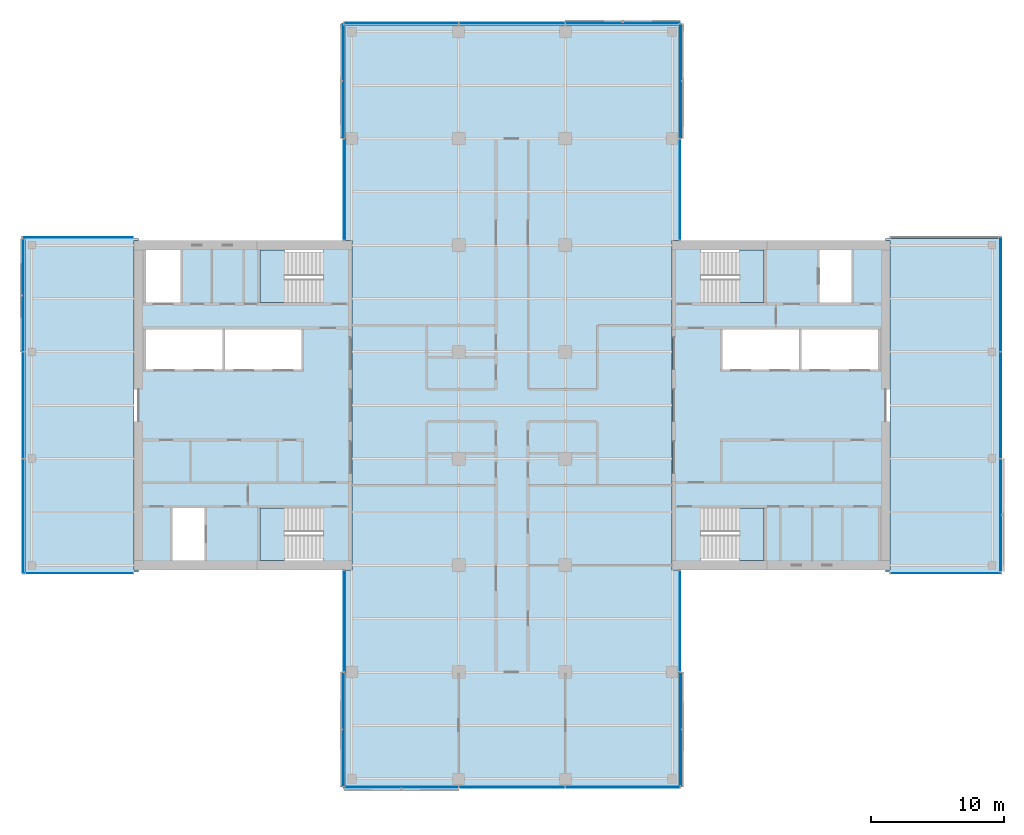
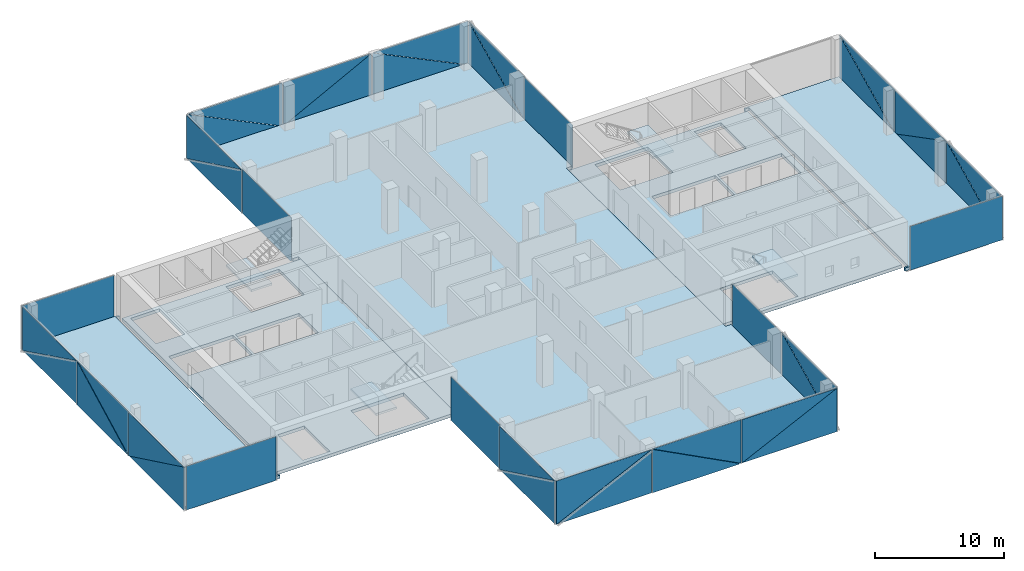
# One storey, part 12 of 22: 39 plates, 9 slabs, 19 elements without a shape of their own.
"""IFC4 building model written with IfcOpenShell, lengths in metres."""

from ifc_helpers import new_model, si_unit, direction, frame, origin, place, context, subcontext, project, spatial, polyline, outline, extrude, material, layer, layer_set, type_object, element, aggregate, save


model = new_model("IFC4")

# Units and contexts
model_context = context("Model", 3, precision=1e-05, world=origin(), true_north=direction((0.0, 1.0)))
body_context = subcontext(model_context, "Body", "Model", "MODEL_VIEW")
ifc_project = project(units=[si_unit("LENGTHUNIT", "METRE"), si_unit("AREAUNIT", "SQUARE_METRE"), si_unit("VOLUMEUNIT", "CUBIC_METRE"), si_unit("PLANEANGLEUNIT", "RADIAN"), si_unit("MASSUNIT", "GRAM", prefix="KILO")], contexts=[model_context])

# Site, building, storey
site_placement = place(None, origin())
site = spatial("IfcSite", under=ifc_project, at=site_placement, CompositionType="ELEMENT")
building_placement = place(site_placement, origin())
building = spatial("IfcBuilding", under=site, at=building_placement, Name="Crosswind Convention Tower", CompositionType="ELEMENT")
storey_placement = place(building_placement, frame((0.0, 0.0, 125.300048828125)))
storey = spatial("IfcBuildingStorey", under=building, at=storey_placement, Name="L25", CompositionType="ELEMENT", Elevation=125.300048828125)

# Slabs
ifc_material_1 = material(Name="Concrete C40/50", Category="concrete")
ifc_layer_1 = layer(ifc_material_1, 0.300048828125)
ifc_layer_set_1 = layer_set([ifc_layer_1], Name="Concrete C40/50")
slab_type_1 = type_object("IfcSlabType", Name="Composite floor slab 300", PredefinedType="FLOOR", material=ifc_layer_set_1)
slab_1_placement = place(storey_placement, frame((0.0, 0.0, -0.300048828125)))
element("IfcSlab", 1, at=slab_1_placement, inside=storey, type_object=slab_type_1, Name="Floor slab L25 part 1", PredefinedType="FLOOR", context=body_context, shape_type="SweptSolid", body=[
    extrude(outline(polyline([(97.0, 87.5), (89.0, 87.5), (88.5, 87.5), (88.5, 88.0), (88.5, 112.0), (88.5, 112.5), (89.0, 112.5), (97.0, 112.5), (97.0, 112.35009765625), (96.64990234375, 112.35009765625), (96.64990234375, 87.64990234375), (97.0, 87.64990234375), (97.0, 87.5)])), origin(), (0.0, 0.0, 1.0), 0.300048828125),
])
slab_2_placement = place(storey_placement, frame((0.0, 0.0, -0.300048828125)))
element("IfcSlab", 2, at=slab_2_placement, inside=storey, type_object=slab_type_1, Name="Floor slab L25 part 2", PredefinedType="FLOOR", context=body_context, shape_type="SweptSolid", body=[
    extrude(outline(polyline([(112.5, 87.64990234375), (113.0, 87.64990234375), (113.0, 112.35009765625), (112.5, 112.35009765625), (112.5, 128.0), (112.5, 128.5), (113.0, 128.5), (137.0, 128.5), (137.5, 128.5), (137.5, 128.0), (137.5, 112.35009765625), (137.0, 112.35009765625), (137.0, 87.64990234375), (137.5, 87.64990234375), (137.5, 72.0), (137.5, 71.5), (137.0, 71.5), (113.0, 71.5), (112.5, 71.5), (112.5, 72.0), (112.5, 87.64990234375)])), origin(), (0.0, 0.0, 1.0), 0.300048828125),
])
slab_3_placement = place(storey_placement, frame((0.0, 0.0, -0.300048828125)))
element("IfcSlab", 3, at=slab_3_placement, inside=storey, type_object=slab_type_1, Name="Floor slab L25 part 3", PredefinedType="FLOOR", context=body_context, shape_type="SweptSolid", body=[
    extrude(outline(polyline([(153.0, 112.5), (161.0, 112.5), (161.5, 112.5), (161.5, 112.0), (161.5, 88.0), (161.5, 87.5), (161.0, 87.5), (153.0, 87.5), (153.0, 87.64990234375), (153.35009765625, 87.64990234375), (153.35009765625, 112.35009765625), (153.0, 112.35009765625), (153.0, 112.5)])), origin(), (0.0, 0.0, 1.0), 0.300048828125),
])
ifc_layer_2 = layer(ifc_material_1, 0.300048828125)
ifc_layer_set_2 = layer_set([ifc_layer_2], Name="Concrete C40/50")
slab_type_2 = type_object("IfcSlabType", Name="Concrete core floor slab 300", PredefinedType="FLOOR", material=ifc_layer_set_2)
slab_4_placement = place(storey_placement, frame((0.0, 0.0, -0.300048828125)))
element("IfcSlab", 4, at=slab_4_placement, inside=storey, type_object=slab_type_2, Name="Core floor slab E L25", PredefinedType="FLOOR", context=body_context, shape_type="SweptSolid", body=[
    extrude(outline(polyline([(137.0, 88.0), (153.0, 88.0), (153.0, 112.0), (137.0, 112.0), (137.0, 88.0)]), holes=[polyline([(146.5, 102.699951171875), (146.5, 105.699951171875), (140.800048828125, 105.699951171875), (140.800048828125, 102.699951171875), (146.5, 102.699951171875)]), polyline([(152.449951171875, 102.699951171875), (152.449951171875, 105.699951171875), (146.699951171875, 105.699951171875), (146.699951171875, 102.699951171875), (152.449951171875, 102.699951171875)]), polyline([(150.449951171875, 107.699951171875), (150.449951171875, 111.64990234375), (148.050048828125, 111.64990234375), (148.050048828125, 107.699951171875), (150.449951171875, 107.699951171875)]), polyline([(143.89990234375, 107.699951171875), (143.89990234375, 111.64990234375), (139.14990234375, 111.64990234375), (139.14990234375, 107.699951171875), (143.89990234375, 107.699951171875)]), polyline([(143.89990234375, 88.35009765625), (143.89990234375, 92.300048828125), (139.14990234375, 92.300048828125), (139.14990234375, 88.35009765625), (143.89990234375, 88.35009765625)])]), origin(), (0.0, 0.0, 1.0), 0.300048828125),
])
slab_5_placement = place(storey_placement, frame((0.0, 0.0, -0.300048828125)))
element("IfcSlab", 5, at=slab_5_placement, inside=storey, type_object=slab_type_2, Name="Core floor slab W L25", PredefinedType="FLOOR", context=body_context, shape_type="SweptSolid", body=[
    extrude(outline(polyline([(97.0, 88.0), (113.0, 88.0), (113.0, 112.0), (97.0, 112.0), (97.0, 88.0)]), holes=[polyline([(109.199951171875, 102.699951171875), (109.199951171875, 105.699951171875), (103.5, 105.699951171875), (103.5, 102.699951171875), (109.199951171875, 102.699951171875)]), polyline([(103.300048828125, 102.699951171875), (103.300048828125, 105.699951171875), (97.550048828125, 105.699951171875), (97.550048828125, 102.699951171875), (103.300048828125, 102.699951171875)]), polyline([(101.949951171875, 88.35009765625), (101.949951171875, 92.300048828125), (99.550048828125, 92.300048828125), (99.550048828125, 88.35009765625), (101.949951171875, 88.35009765625)]), polyline([(100.14990234375, 107.699951171875), (100.14990234375, 111.64990234375), (97.550048828125, 111.64990234375), (97.550048828125, 107.699951171875), (100.14990234375, 107.699951171875)]), polyline([(110.85009765625, 88.35009765625), (110.85009765625, 92.300048828125), (106.10009765625, 92.300048828125), (106.10009765625, 88.35009765625), (110.85009765625, 88.35009765625)]), polyline([(110.85009765625, 107.699951171875), (110.85009765625, 111.64990234375), (106.10009765625, 111.64990234375), (106.10009765625, 107.699951171875), (110.85009765625, 107.699951171875)])]), origin(), (0.0, 0.0, 1.0), 0.300048828125),
])

# Stair, slab
stair_type = type_object("IfcStairType", Name="Exit stair 1800 wide, 2 flights of 11 risers", PredefinedType="HALF_TURN_STAIR", material=ifc_material_1)
stair_1_placement = place(storey_placement, origin())
stair_1 = element("IfcStair", 6, at=stair_1_placement, inside=storey, type_object=stair_type, Name="Exit stair ST1 L25", ObjectType="ST5", PredefinedType="HALF_TURN_STAIR")
ifc_layer_3 = layer(ifc_material_1, 0.199951171875)
ifc_layer_set_3 = layer_set([ifc_layer_3], Name="Concrete C40/50")
slab_type_3 = type_object("IfcSlabType", Name="Stair landing 200", PredefinedType="LANDING", material=ifc_layer_set_3)
slab_6_placement = place(storey_placement, frame((0.0, 0.0, 1.89990234375)))
slab_6 = element("IfcSlab", 7, at=slab_6_placement, type_object=slab_type_3, Name="ST1 landing 1", PredefinedType="LANDING", context=body_context, shape_type="SweptSolid", body=[
    extrude(outline(polyline([(143.89990234375, 107.699951171875), (143.89990234375, 111.64990234375), (142.050048828125, 111.64990234375), (142.050048828125, 107.699951171875), (143.89990234375, 107.699951171875)])), origin(), (0.0, 0.0, 1.0), 0.199951171875),
])
aggregate(stair_1, [slab_6])

stair_2_placement = place(storey_placement, origin())
stair_2 = element("IfcStair", 8, at=stair_2_placement, inside=storey, type_object=stair_type, Name="Exit stair ST2 L25", ObjectType="ST5", PredefinedType="HALF_TURN_STAIR")
slab_7_placement = place(storey_placement, frame((0.0, 0.0, 1.89990234375)))
slab_7 = element("IfcSlab", 9, at=slab_7_placement, type_object=slab_type_3, Name="ST2 landing 1", PredefinedType="LANDING", context=body_context, shape_type="SweptSolid", body=[
    extrude(outline(polyline([(143.89990234375, 88.35009765625), (143.89990234375, 92.300048828125), (142.050048828125, 92.300048828125), (142.050048828125, 88.35009765625), (143.89990234375, 88.35009765625)])), origin(), (0.0, 0.0, 1.0), 0.199951171875),
])
aggregate(stair_2, [slab_7])

stair_3_placement = place(storey_placement, origin())
stair_3 = element("IfcStair", 10, at=stair_3_placement, inside=storey, type_object=stair_type, Name="Exit stair ST3 L25", ObjectType="ST5", PredefinedType="HALF_TURN_STAIR")
slab_8_placement = place(storey_placement, frame((0.0, 0.0, 1.89990234375)))
slab_8 = element("IfcSlab", 11, at=slab_8_placement, type_object=slab_type_3, Name="ST3 landing 1", PredefinedType="LANDING", context=body_context, shape_type="SweptSolid", body=[
    extrude(outline(polyline([(107.949951171875, 88.35009765625), (107.949951171875, 92.300048828125), (106.10009765625, 92.300048828125), (106.10009765625, 88.35009765625), (107.949951171875, 88.35009765625)])), origin(), (0.0, 0.0, 1.0), 0.199951171875),
])
aggregate(stair_3, [slab_8])

stair_4_placement = place(storey_placement, origin())
stair_4 = element("IfcStair", 12, at=stair_4_placement, inside=storey, type_object=stair_type, Name="Exit stair ST4 L25", ObjectType="ST5", PredefinedType="HALF_TURN_STAIR")
slab_9_placement = place(storey_placement, frame((0.0, 0.0, 1.89990234375)))
slab_9 = element("IfcSlab", 13, at=slab_9_placement, type_object=slab_type_3, Name="ST4 landing 1", PredefinedType="LANDING", context=body_context, shape_type="SweptSolid", body=[
    extrude(outline(polyline([(107.949951171875, 107.699951171875), (107.949951171875, 111.64990234375), (106.10009765625, 111.64990234375), (106.10009765625, 107.699951171875), (107.949951171875, 107.699951171875)])), origin(), (0.0, 0.0, 1.0), 0.199951171875),
])
aggregate(stair_4, [slab_9])

# Curtain wall, plate
ifc_material_2 = material(Name="Aluminium unitised curtain wall", Category="aluminium")
curtain_wall_type_1 = type_object("IfcCurtainWallType", Name="CORE END SLOT WALL 160", PredefinedType="USERDEFINED", material=ifc_material_2)
curtain_wall_1_placement = place(storey_placement, origin())
curtain_wall_1 = element("IfcCurtainWall", 14, at=curtain_wall_1_placement, inside=storey, type_object=curtain_wall_type_1, Name="CW6 L25 N-E.1-1 slot", ObjectType="UNITISED", PredefinedType="USERDEFINED")
ifc_material_3 = material(Name="Laminated insulating glass unit", Category="glass")
ifc_layer_4 = layer(ifc_material_3, 0.02587890625)
ifc_layer_set_4 = layer_set([ifc_layer_4], Name="TRIANGULAR GLASS PANEL 26")
plate_type_1 = type_object("IfcPlateType", Name="TRIANGULAR GLASS PANEL 26", PredefinedType="CURTAIN_PANEL", material=ifc_layer_set_4)
plate_1_placement = place(storey_placement, frame((137.60693359375, 112.39990234375, -0.300048828125), z_axis=(0.999999915205, 0.0, 0.00041181312), x_axis=(0.0, 1.0, 0.0)))
plate_1 = element("IfcPlate", 15, at=plate_1_placement, type_object=plate_type_1, Name="CW6 panel 1.1", PredefinedType="CURTAIN_PANEL", context=body_context, shape_type="SweptSolid", body=[
    extrude(outline(polyline([(0.0, 0.0), (7.550048828125, 0.0), (7.550048828125, 4.149902695641108), (0.0, 4.149902695641108), (0.0, 0.0)])), origin(), (0.0, 0.0, -1.0), 0.02587890625),
])
aggregate(curtain_wall_1, [plate_1])

curtain_wall_2_placement = place(storey_placement, origin())
curtain_wall_2 = element("IfcCurtainWall", 16, at=curtain_wall_2_placement, inside=storey, type_object=curtain_wall_type_1, Name="CW6 L25 N-W.1-2 slot", ObjectType="UNITISED", PredefinedType="USERDEFINED")
plate_2_placement = place(storey_placement, frame((112.39306640625, 119.949951171875, -0.300048828125), z_axis=(-0.999999915205, 0.0, 0.00041181312), x_axis=(0.0, -1.0, 0.0)))
plate_2 = element("IfcPlate", 17, at=plate_2_placement, type_object=plate_type_1, Name="CW6 panel 1.1", PredefinedType="CURTAIN_PANEL", context=body_context, shape_type="SweptSolid", body=[
    extrude(outline(polyline([(0.0, 0.0), (7.550048828125, 0.0), (7.550048828125, 4.149902695641108), (0.0, 4.149902695641108), (0.0, 0.0)])), origin(), (0.0, 0.0, -1.0), 0.02587890625),
])
aggregate(curtain_wall_2, [plate_2])

curtain_wall_3_placement = place(storey_placement, origin())
curtain_wall_3 = element("IfcCurtainWall", 18, at=curtain_wall_3_placement, inside=storey, type_object=curtain_wall_type_1, Name="CW6 L25 W-N.2-1 slot", ObjectType="UNITISED", PredefinedType="USERDEFINED")
plate_3_placement = place(storey_placement, frame((96.60009765625, 112.60693359375, -0.300048828125), z_axis=(0.0, 0.999999915205, 0.00041181312), x_axis=(-1.0, 0.0, 0.0)))
plate_3 = element("IfcPlate", 19, at=plate_3_placement, type_object=plate_type_1, Name="CW6 panel 1.1", PredefinedType="CURTAIN_PANEL", context=body_context, shape_type="SweptSolid", body=[
    extrude(outline(polyline([(0.0, 0.0), (8.27001953125, 0.0), (8.27001953125, 4.149902695641109), (0.0, 4.149902695641109), (0.0, 0.0)])), origin(), (0.0, 0.0, -1.0), 0.02587890625),
])
aggregate(curtain_wall_3, [plate_3])

curtain_wall_4_placement = place(storey_placement, origin())
curtain_wall_4 = element("IfcCurtainWall", 20, at=curtain_wall_4_placement, inside=storey, type_object=curtain_wall_type_1, Name="CW6 L25 W-S.1-1 slot", ObjectType="UNITISED", PredefinedType="USERDEFINED")
plate_4_placement = place(storey_placement, frame((88.550048828125, 87.39306640625, -0.300048828125), z_axis=(0.0, -0.999999915205, 0.00041181312), x_axis=(1.0, 0.0, 0.0)))
plate_4 = element("IfcPlate", 21, at=plate_4_placement, type_object=plate_type_1, Name="CW6 panel 1.1", PredefinedType="CURTAIN_PANEL", context=body_context, shape_type="SweptSolid", body=[
    extrude(outline(polyline([(0.0, 0.0), (8.050048828125, 0.0), (8.050048828125, 4.149902695641108), (0.0, 4.149902695641108), (0.0, 0.0)])), origin(), (0.0, 0.0, -1.0), 0.02587890625),
])
aggregate(curtain_wall_4, [plate_4])

curtain_wall_5_placement = place(storey_placement, origin())
curtain_wall_5 = element("IfcCurtainWall", 22, at=curtain_wall_5_placement, inside=storey, type_object=curtain_wall_type_1, Name="CW6 L25 S-W.1-1 slot", ObjectType="UNITISED", PredefinedType="USERDEFINED")
plate_5_placement = place(storey_placement, frame((112.39306640625, 87.60009765625, -0.300048828125), z_axis=(-0.999999915205, 0.0, 0.00041181312), x_axis=(0.0, -1.0, 0.0)))
plate_5 = element("IfcPlate", 23, at=plate_5_placement, type_object=plate_type_1, Name="CW6 panel 1.1", PredefinedType="CURTAIN_PANEL", context=body_context, shape_type="SweptSolid", body=[
    extrude(outline(polyline([(0.0, 0.0), (7.550048828125, 0.0), (7.550048828125, 4.149902695641108), (0.0, 4.149902695641108), (0.0, 0.0)])), origin(), (0.0, 0.0, -1.0), 0.02587890625),
])
aggregate(curtain_wall_5, [plate_5])

curtain_wall_6_placement = place(storey_placement, origin())
curtain_wall_6 = element("IfcCurtainWall", 24, at=curtain_wall_6_placement, inside=storey, type_object=curtain_wall_type_1, Name="CW6 L25 S-E.1-2 slot", ObjectType="UNITISED", PredefinedType="USERDEFINED")
plate_6_placement = place(storey_placement, frame((137.60693359375, 80.050048828125, -0.300048828125), z_axis=(0.999999915205, 0.0, 0.00041181312), x_axis=(0.0, 1.0, 0.0)))
plate_6 = element("IfcPlate", 25, at=plate_6_placement, type_object=plate_type_1, Name="CW6 panel 1.1", PredefinedType="CURTAIN_PANEL", context=body_context, shape_type="SweptSolid", body=[
    extrude(outline(polyline([(0.0, 0.0), (7.550048828125, 0.0), (7.550048828125, 4.149902695641108), (0.0, 4.149902695641108), (0.0, 0.0)])), origin(), (0.0, 0.0, -1.0), 0.02587890625),
])
aggregate(curtain_wall_6, [plate_6])

curtain_wall_7_placement = place(storey_placement, origin())
curtain_wall_7 = element("IfcCurtainWall", 26, at=curtain_wall_7_placement, inside=storey, type_object=curtain_wall_type_1, Name="CW6 L25 E-S.2-1 slot", ObjectType="UNITISED", PredefinedType="USERDEFINED")
plate_7_placement = place(storey_placement, frame((153.39990234375, 87.39306640625, -0.300048828125), z_axis=(0.0, -0.999999915205, 0.00041181312), x_axis=(1.0, 0.0, 0.0)))
plate_7 = element("IfcPlate", 27, at=plate_7_placement, type_object=plate_type_1, Name="CW6 panel 1.1", PredefinedType="CURTAIN_PANEL", context=body_context, shape_type="SweptSolid", body=[
    extrude(outline(polyline([(0.0, 0.0), (8.27001953125, 0.0), (8.27001953125, 4.149902695641109), (0.0, 4.149902695641109), (0.0, 0.0)])), origin(), (0.0, 0.0, -1.0), 0.02587890625),
])
aggregate(curtain_wall_7, [plate_7])

# Curtain wall, plates
curtain_wall_type_2 = type_object("IfcCurtainWallType", Name="OFFICE UNITISED WALL 220", PredefinedType="USERDEFINED", material=ifc_material_2)
curtain_wall_8_placement = place(storey_placement, origin())
curtain_wall_8 = element("IfcCurtainWall", 28, at=curtain_wall_8_placement, inside=storey, type_object=curtain_wall_type_2, Name="CW3 L25 E-TIP 1", ObjectType="UNITISED", PredefinedType="USERDEFINED")
ifc_layer_5 = layer(ifc_material_3, 0.031982421875)
ifc_layer_set_5 = layer_set([ifc_layer_5], Name="TRIANGULAR GLASS PANEL 32")
plate_type_2 = type_object("IfcPlateType", Name="TRIANGULAR GLASS PANEL 32", PredefinedType="CURTAIN_PANEL", material=ifc_layer_set_5)
plate_8_placement = place(storey_placement, frame((161.642822265625, 95.965087890625, -0.300048828125), z_axis=(0.999999913924, 0.0, 0.000414913129), x_axis=(-0.000414913129, 0.0, 0.999999913924)))
plate_8 = element("IfcPlate", 29, at=plate_8_placement, type_object=plate_type_2, Name="CW3 panel 1.1", PredefinedType="CURTAIN_PANEL", context=body_context, shape_type="SweptSolid", body=[
    extrude(outline(polyline([(0.0, 0.0), (4.118896838915043, 0.0), (0.0, 8.372314453125), (0.0, 0.0)])), origin(), (0.0, 0.0, -1.0), 0.031982421875),
])
plate_9_placement = place(storey_placement, frame((161.67529296875, 87.570068359375, 3.829833984375), z_axis=(0.999999936753, 0.0, 0.000355660914), x_axis=(0.000355660914, 0.0, -0.999999936753)))
plate_9 = element("IfcPlate", 30, at=plate_9_placement, type_object=plate_type_2, Name="CW3 panel 1.2", PredefinedType="CURTAIN_PANEL", context=body_context, shape_type="SweptSolid", body=[
    extrude(outline(polyline([(0.0, 0.0), (4.1186526042438425, 0.0), (0.0, 8.372314453125), (0.0, 0.0)])), origin(), (0.0, 0.0, -1.0), 0.031982421875),
])
plate_10_placement = place(storey_placement, frame((161.64111328125, 103.965087890625, 3.829833984375), z_axis=(0.999999913913, 0.0, 0.000414937724), x_axis=(0.0, -1.0, 0.0)))
plate_10 = element("IfcPlate", 31, at=plate_10_placement, type_object=plate_type_2, Name="CW3 panel 2.1", PredefinedType="CURTAIN_PANEL", context=body_context, shape_type="SweptSolid", body=[
    extrude(outline(polyline([(0.0, 0.0), (7.908447265625, 0.0), (0.0, 4.118652698311059), (0.0, 0.0)])), origin(), (0.0, 0.0, -1.0), 0.031982421875),
])
plate_11_placement = place(storey_placement, frame((161.6767578125, 96.034912109375, -0.300048828125), z_axis=(0.999999936753, 0.0, 0.000355660914), x_axis=(0.0, 1.0, 0.0)))
plate_11 = element("IfcPlate", 32, at=plate_11_placement, type_object=plate_type_2, Name="CW3 panel 2.2", PredefinedType="CURTAIN_PANEL", context=body_context, shape_type="SweptSolid", body=[
    extrude(outline(polyline([(0.0, 0.0), (7.908447265625, 0.0), (0.0, 4.118652604243842), (0.0, 0.0)])), origin(), (0.0, 0.0, -1.0), 0.031982421875),
])
plate_12_placement = place(storey_placement, frame((161.642822265625, 112.590087890625, -0.300048828125), z_axis=(0.999999913924, 0.0, 0.000414913129), x_axis=(-0.000414913129, 0.0, 0.999999913924)))
plate_12 = element("IfcPlate", 33, at=plate_12_placement, type_object=plate_type_2, Name="CW3 panel 3.1", PredefinedType="CURTAIN_PANEL", context=body_context, shape_type="SweptSolid", body=[
    extrude(outline(polyline([(0.0, 0.0), (4.118896838915043, 0.0), (0.0, 8.531982421874998), (0.0, 0.0)])), origin(), (0.0, 0.0, -1.0), 0.031982421875),
])
plate_13_placement = place(storey_placement, frame((161.67529296875, 104.034912109375, 3.829833984375), z_axis=(0.99999993676, 0.0, 0.000355639833), x_axis=(0.000355639833, 0.0, -0.99999993676)))
plate_13 = element("IfcPlate", 34, at=plate_13_placement, type_object=plate_type_2, Name="CW3 panel 3.2", PredefinedType="CURTAIN_PANEL", context=body_context, shape_type="SweptSolid", body=[
    extrude(outline(polyline([(0.0, 0.0), (4.1188967448534015, 0.0), (0.0, 8.531982421875), (0.0, 0.0)])), origin(), (0.0, 0.0, -1.0), 0.031982421875),
])
aggregate(curtain_wall_8, [plate_8, plate_9, plate_10, plate_11, plate_12, plate_13])

curtain_wall_9_placement = place(storey_placement, origin())
curtain_wall_9 = element("IfcCurtainWall", 35, at=curtain_wall_9_placement, inside=storey, type_object=curtain_wall_type_2, Name="CW3 L25 N-E 1", ObjectType="UNITISED", PredefinedType="USERDEFINED")
plate_14_placement = place(storey_placement, frame((137.642822265625, 128.574951171875, -0.300048828125), z_axis=(0.999999913924, 0.0, 0.000414913129), x_axis=(-0.000414913129, 0.0, 0.999999913924)))
plate_14 = element("IfcPlate", 36, at=plate_14_placement, type_object=plate_type_2, Name="CW3 panel 1.1", PredefinedType="CURTAIN_PANEL", context=body_context, shape_type="SweptSolid", body=[
    extrude(outline(polyline([(0.0, 0.0), (4.118896838915043, 0.0), (0.0, 8.517089843749998), (0.0, 0.0)])), origin(), (0.0, 0.0, -1.0), 0.031982421875),
])
plate_15_placement = place(storey_placement, frame((137.67529296875, 120.034912109375, 3.829833984375), z_axis=(0.99999993676, 0.0, 0.000355639833), x_axis=(0.000355639833, 0.0, -0.99999993676)))
plate_15 = element("IfcPlate", 37, at=plate_15_placement, type_object=plate_type_2, Name="CW3 panel 1.2", PredefinedType="CURTAIN_PANEL", context=body_context, shape_type="SweptSolid", body=[
    extrude(outline(polyline([(0.0, 0.0), (4.1188967448534015, 0.0), (0.0, 8.51708984375), (0.0, 0.0)])), origin(), (0.0, 0.0, -1.0), 0.031982421875),
])
aggregate(curtain_wall_9, [plate_14, plate_15])

curtain_wall_10_placement = place(storey_placement, origin())
curtain_wall_10 = element("IfcCurtainWall", 38, at=curtain_wall_10_placement, inside=storey, type_object=curtain_wall_type_2, Name="CW3 L25 N-TIP 1", ObjectType="UNITISED", PredefinedType="USERDEFINED")
plate_16_placement = place(storey_placement, frame((129.034912109375, 128.642822265625, -0.300048828125), z_axis=(0.0, 0.999999913924, 0.000414913129), x_axis=(0.0, -0.000414913129, 0.999999913924)))
plate_16 = element("IfcPlate", 39, at=plate_16_placement, type_object=plate_type_2, Name="CW3 panel 1.1", PredefinedType="CURTAIN_PANEL", context=body_context, shape_type="SweptSolid", body=[
    extrude(outline(polyline([(0.0, 0.0), (4.118896838915043, 0.0), (0.0, 8.517089843749998), (0.0, 0.0)])), origin(), (0.0, 0.0, -1.0), 0.031982421875),
])
plate_17_placement = place(storey_placement, frame((137.574951171875, 128.67529296875, 3.829833984375), z_axis=(0.0, 0.99999993676, 0.000355639833), x_axis=(0.0, 0.000355639833, -0.99999993676)))
plate_17 = element("IfcPlate", 40, at=plate_17_placement, type_object=plate_type_2, Name="CW3 panel 1.2", PredefinedType="CURTAIN_PANEL", context=body_context, shape_type="SweptSolid", body=[
    extrude(outline(polyline([(0.0, 0.0), (4.1188967448534015, 0.0), (0.0, 8.51708984375), (0.0, 0.0)])), origin(), (0.0, 0.0, -1.0), 0.031982421875),
])
plate_18_placement = place(storey_placement, frame((121.034912109375, 128.64111328125, 3.829833984375), z_axis=(0.0, 0.999999913913, 0.000414937724), x_axis=(1.0, 0.0, 0.0)))
plate_18 = element("IfcPlate", 41, at=plate_18_placement, type_object=plate_type_2, Name="CW3 panel 2.1", PredefinedType="CURTAIN_PANEL", context=body_context, shape_type="SweptSolid", body=[
    extrude(outline(polyline([(0.0, 0.0), (7.908447265625, 0.0), (0.0, 4.118652698311059), (0.0, 0.0)])), origin(), (0.0, 0.0, -1.0), 0.031982421875),
])
plate_19_placement = place(storey_placement, frame((128.965087890625, 128.6767578125, -0.300048828125), z_axis=(0.0, 0.999999936753, 0.000355660914), x_axis=(-1.0, 0.0, 0.0)))
plate_19 = element("IfcPlate", 42, at=plate_19_placement, type_object=plate_type_2, Name="CW3 panel 2.2", PredefinedType="CURTAIN_PANEL", context=body_context, shape_type="SweptSolid", body=[
    extrude(outline(polyline([(0.0, 0.0), (7.908447265625, 0.0), (0.0, 4.118652604243842), (0.0, 0.0)])), origin(), (0.0, 0.0, -1.0), 0.031982421875),
])
plate_20_placement = place(storey_placement, frame((112.425048828125, 128.642822265625, -0.300048828125), z_axis=(0.0, 0.999999913924, 0.000414913129), x_axis=(0.0, -0.000414913129, 0.999999913924)))
plate_20 = element("IfcPlate", 43, at=plate_20_placement, type_object=plate_type_2, Name="CW3 panel 3.1", PredefinedType="CURTAIN_PANEL", context=body_context, shape_type="SweptSolid", body=[
    extrude(outline(polyline([(0.0, 0.0), (4.118896838915043, 0.0), (0.0, 8.517089843749998), (0.0, 0.0)])), origin(), (0.0, 0.0, -1.0), 0.031982421875),
])
plate_21_placement = place(storey_placement, frame((120.965087890625, 128.67529296875, 3.829833984375), z_axis=(0.0, 0.99999993676, 0.000355639833), x_axis=(0.0, 0.000355639833, -0.99999993676)))
plate_21 = element("IfcPlate", 44, at=plate_21_placement, type_object=plate_type_2, Name="CW3 panel 3.2", PredefinedType="CURTAIN_PANEL", context=body_context, shape_type="SweptSolid", body=[
    extrude(outline(polyline([(0.0, 0.0), (4.1188967448534015, 0.0), (0.0, 8.51708984375), (0.0, 0.0)])), origin(), (0.0, 0.0, -1.0), 0.031982421875),
])
aggregate(curtain_wall_10, [plate_16, plate_17, plate_18, plate_19, plate_20, plate_21])

curtain_wall_11_placement = place(storey_placement, origin())
curtain_wall_11 = element("IfcCurtainWall", 45, at=curtain_wall_11_placement, inside=storey, type_object=curtain_wall_type_2, Name="CW3 L25 N-W 1", ObjectType="UNITISED", PredefinedType="USERDEFINED")
plate_22_placement = place(storey_placement, frame((112.357177734375, 120.034912109375, -0.300048828125), z_axis=(-0.999999913924, 0.0, 0.000414913129), x_axis=(0.000414913129, 0.0, 0.999999913924)))
plate_22 = element("IfcPlate", 46, at=plate_22_placement, type_object=plate_type_2, Name="CW3 panel 1.1", PredefinedType="CURTAIN_PANEL", context=body_context, shape_type="SweptSolid", body=[
    extrude(outline(polyline([(0.0, 0.0), (4.118896838915043, 0.0), (0.0, 8.517089843749998), (0.0, 0.0)])), origin(), (0.0, 0.0, -1.0), 0.031982421875),
])
plate_23_placement = place(storey_placement, frame((112.32470703125, 128.574951171875, 3.829833984375), z_axis=(-0.99999993676, 0.0, 0.000355639833), x_axis=(-0.000355639833, 0.0, -0.99999993676)))
plate_23 = element("IfcPlate", 47, at=plate_23_placement, type_object=plate_type_2, Name="CW3 panel 1.2", PredefinedType="CURTAIN_PANEL", context=body_context, shape_type="SweptSolid", body=[
    extrude(outline(polyline([(0.0, 0.0), (4.1188967448534015, 0.0), (0.0, 8.51708984375), (0.0, 0.0)])), origin(), (0.0, 0.0, -1.0), 0.031982421875),
])
aggregate(curtain_wall_11, [plate_22, plate_23])

curtain_wall_12_placement = place(storey_placement, origin())
curtain_wall_12 = element("IfcCurtainWall", 48, at=curtain_wall_12_placement, inside=storey, type_object=curtain_wall_type_2, Name="CW3 L25 W-TIP 1", ObjectType="UNITISED", PredefinedType="USERDEFINED")
plate_24_placement = place(storey_placement, frame((88.357177734375, 104.034912109375, -0.300048828125), z_axis=(-0.999999913924, 0.0, 0.000414913129), x_axis=(0.000414913129, 0.0, 0.999999913924)))
plate_24 = element("IfcPlate", 49, at=plate_24_placement, type_object=plate_type_2, Name="CW3 panel 1.1", PredefinedType="CURTAIN_PANEL", context=body_context, shape_type="SweptSolid", body=[
    extrude(outline(polyline([(0.0, 0.0), (4.118896838915043, 0.0), (0.0, 8.372314453125), (0.0, 0.0)])), origin(), (0.0, 0.0, -1.0), 0.031982421875),
])
plate_25_placement = place(storey_placement, frame((88.32470703125, 112.429931640625, 3.829833984375), z_axis=(-0.999999936753, 0.0, 0.000355660914), x_axis=(-0.000355660914, 0.0, -0.999999936753)))
plate_25 = element("IfcPlate", 50, at=plate_25_placement, type_object=plate_type_2, Name="CW3 panel 1.2", PredefinedType="CURTAIN_PANEL", context=body_context, shape_type="SweptSolid", body=[
    extrude(outline(polyline([(0.0, 0.0), (4.1186526042438425, 0.0), (0.0, 8.372314453125), (0.0, 0.0)])), origin(), (0.0, 0.0, -1.0), 0.031982421875),
])
plate_26_placement = place(storey_placement, frame((88.35888671875, 96.034912109375, 3.829833984375), z_axis=(-0.999999913913, 0.0, 0.000414937724), x_axis=(0.0, 1.0, 0.0)))
plate_26 = element("IfcPlate", 51, at=plate_26_placement, type_object=plate_type_2, Name="CW3 panel 2.1", PredefinedType="CURTAIN_PANEL", context=body_context, shape_type="SweptSolid", body=[
    extrude(outline(polyline([(0.0, 0.0), (7.908447265625, 0.0), (0.0, 4.118652698311059), (0.0, 0.0)])), origin(), (0.0, 0.0, -1.0), 0.031982421875),
])
plate_27_placement = place(storey_placement, frame((88.3232421875, 103.965087890625, -0.300048828125), z_axis=(-0.999999936753, 0.0, 0.000355660914), x_axis=(0.0, -1.0, 0.0)))
plate_27 = element("IfcPlate", 52, at=plate_27_placement, type_object=plate_type_2, Name="CW3 panel 2.2", PredefinedType="CURTAIN_PANEL", context=body_context, shape_type="SweptSolid", body=[
    extrude(outline(polyline([(0.0, 0.0), (7.908447265625, 0.0), (0.0, 4.118652604243842), (0.0, 0.0)])), origin(), (0.0, 0.0, -1.0), 0.031982421875),
])
plate_28_placement = place(storey_placement, frame((88.357177734375, 87.409912109375, -0.300048828125), z_axis=(-0.999999913924, 0.0, 0.000414913129), x_axis=(0.000414913129, 0.0, 0.999999913924)))
plate_28 = element("IfcPlate", 53, at=plate_28_placement, type_object=plate_type_2, Name="CW3 panel 3.1", PredefinedType="CURTAIN_PANEL", context=body_context, shape_type="SweptSolid", body=[
    extrude(outline(polyline([(0.0, 0.0), (4.118896838915043, 0.0), (0.0, 8.531982421874998), (0.0, 0.0)])), origin(), (0.0, 0.0, -1.0), 0.031982421875),
])
plate_29_placement = place(storey_placement, frame((88.32470703125, 95.965087890625, 3.829833984375), z_axis=(-0.99999993676, 0.0, 0.000355639833), x_axis=(-0.000355639833, 0.0, -0.99999993676)))
plate_29 = element("IfcPlate", 54, at=plate_29_placement, type_object=plate_type_2, Name="CW3 panel 3.2", PredefinedType="CURTAIN_PANEL", context=body_context, shape_type="SweptSolid", body=[
    extrude(outline(polyline([(0.0, 0.0), (4.1188967448534015, 0.0), (0.0, 8.531982421875), (0.0, 0.0)])), origin(), (0.0, 0.0, -1.0), 0.031982421875),
])
aggregate(curtain_wall_12, [plate_24, plate_25, plate_26, plate_27, plate_28, plate_29])

curtain_wall_13_placement = place(storey_placement, origin())
curtain_wall_13 = element("IfcCurtainWall", 55, at=curtain_wall_13_placement, inside=storey, type_object=curtain_wall_type_2, Name="CW3 L25 S-W 1", ObjectType="UNITISED", PredefinedType="USERDEFINED")
plate_30_placement = place(storey_placement, frame((112.357177734375, 71.425048828125, -0.300048828125), z_axis=(-0.999999913924, 0.0, 0.000414913129), x_axis=(0.000414913129, 0.0, 0.999999913924)))
plate_30 = element("IfcPlate", 56, at=plate_30_placement, type_object=plate_type_2, Name="CW3 panel 1.1", PredefinedType="CURTAIN_PANEL", context=body_context, shape_type="SweptSolid", body=[
    extrude(outline(polyline([(0.0, 0.0), (4.118896838915043, 0.0), (0.0, 8.517089843749998), (0.0, 0.0)])), origin(), (0.0, 0.0, -1.0), 0.031982421875),
])
plate_31_placement = place(storey_placement, frame((112.32470703125, 79.965087890625, 3.829833984375), z_axis=(-0.99999993676, 0.0, 0.000355639833), x_axis=(-0.000355639833, 0.0, -0.99999993676)))
plate_31 = element("IfcPlate", 57, at=plate_31_placement, type_object=plate_type_2, Name="CW3 panel 1.2", PredefinedType="CURTAIN_PANEL", context=body_context, shape_type="SweptSolid", body=[
    extrude(outline(polyline([(0.0, 0.0), (4.1188967448534015, 0.0), (0.0, 8.51708984375), (0.0, 0.0)])), origin(), (0.0, 0.0, -1.0), 0.031982421875),
])
aggregate(curtain_wall_13, [plate_30, plate_31])

curtain_wall_14_placement = place(storey_placement, origin())
curtain_wall_14 = element("IfcCurtainWall", 58, at=curtain_wall_14_placement, inside=storey, type_object=curtain_wall_type_2, Name="CW3 L25 S-TIP 1", ObjectType="UNITISED", PredefinedType="USERDEFINED")
plate_32_placement = place(storey_placement, frame((120.965087890625, 71.357177734375, -0.300048828125), z_axis=(0.0, -0.999999913924, 0.000414913129), x_axis=(0.0, 0.000414913129, 0.999999913924)))
plate_32 = element("IfcPlate", 59, at=plate_32_placement, type_object=plate_type_2, Name="CW3 panel 1.1", PredefinedType="CURTAIN_PANEL", context=body_context, shape_type="SweptSolid", body=[
    extrude(outline(polyline([(0.0, 0.0), (4.118896838915043, 0.0), (0.0, 8.517089843749998), (0.0, 0.0)])), origin(), (0.0, 0.0, -1.0), 0.031982421875),
])
plate_33_placement = place(storey_placement, frame((112.425048828125, 71.32470703125, 3.829833984375), z_axis=(0.0, -0.99999993676, 0.000355639833), x_axis=(0.0, -0.000355639833, -0.99999993676)))
plate_33 = element("IfcPlate", 60, at=plate_33_placement, type_object=plate_type_2, Name="CW3 panel 1.2", PredefinedType="CURTAIN_PANEL", context=body_context, shape_type="SweptSolid", body=[
    extrude(outline(polyline([(0.0, 0.0), (4.1188967448534015, 0.0), (0.0, 8.51708984375), (0.0, 0.0)])), origin(), (0.0, 0.0, -1.0), 0.031982421875),
])
plate_34_placement = place(storey_placement, frame((128.965087890625, 71.35888671875, 3.829833984375), z_axis=(0.0, -0.999999913913, 0.000414937724), x_axis=(-1.0, 0.0, 0.0)))
plate_34 = element("IfcPlate", 61, at=plate_34_placement, type_object=plate_type_2, Name="CW3 panel 2.1", PredefinedType="CURTAIN_PANEL", context=body_context, shape_type="SweptSolid", body=[
    extrude(outline(polyline([(0.0, 0.0), (7.908447265625, 0.0), (0.0, 4.118652698311059), (0.0, 0.0)])), origin(), (0.0, 0.0, -1.0), 0.031982421875),
])
plate_35_placement = place(storey_placement, frame((121.034912109375, 71.3232421875, -0.300048828125), z_axis=(0.0, -0.999999936753, 0.000355660914), x_axis=(1.0, 0.0, 0.0)))
plate_35 = element("IfcPlate", 62, at=plate_35_placement, type_object=plate_type_2, Name="CW3 panel 2.2", PredefinedType="CURTAIN_PANEL", context=body_context, shape_type="SweptSolid", body=[
    extrude(outline(polyline([(0.0, 0.0), (7.908447265625, 0.0), (0.0, 4.118652604243842), (0.0, 0.0)])), origin(), (0.0, 0.0, -1.0), 0.031982421875),
])
plate_36_placement = place(storey_placement, frame((137.574951171875, 71.357177734375, -0.300048828125), z_axis=(0.0, -0.999999913924, 0.000414913129), x_axis=(0.0, 0.000414913129, 0.999999913924)))
plate_36 = element("IfcPlate", 63, at=plate_36_placement, type_object=plate_type_2, Name="CW3 panel 3.1", PredefinedType="CURTAIN_PANEL", context=body_context, shape_type="SweptSolid", body=[
    extrude(outline(polyline([(0.0, 0.0), (4.118896838915043, 0.0), (0.0, 8.517089843749998), (0.0, 0.0)])), origin(), (0.0, 0.0, -1.0), 0.031982421875),
])
plate_37_placement = place(storey_placement, frame((129.034912109375, 71.32470703125, 3.829833984375), z_axis=(0.0, -0.99999993676, 0.000355639833), x_axis=(0.0, -0.000355639833, -0.99999993676)))
plate_37 = element("IfcPlate", 64, at=plate_37_placement, type_object=plate_type_2, Name="CW3 panel 3.2", PredefinedType="CURTAIN_PANEL", context=body_context, shape_type="SweptSolid", body=[
    extrude(outline(polyline([(0.0, 0.0), (4.1188967448534015, 0.0), (0.0, 8.51708984375), (0.0, 0.0)])), origin(), (0.0, 0.0, -1.0), 0.031982421875),
])
aggregate(curtain_wall_14, [plate_32, plate_33, plate_34, plate_35, plate_36, plate_37])

curtain_wall_15_placement = place(storey_placement, origin())
curtain_wall_15 = element("IfcCurtainWall", 65, at=curtain_wall_15_placement, inside=storey, type_object=curtain_wall_type_2, Name="CW3 L25 S-E 1", ObjectType="UNITISED", PredefinedType="USERDEFINED")
plate_38_placement = place(storey_placement, frame((137.642822265625, 79.965087890625, -0.300048828125), z_axis=(0.999999913924, 0.0, 0.000414913129), x_axis=(-0.000414913129, 0.0, 0.999999913924)))
plate_38 = element("IfcPlate", 66, at=plate_38_placement, type_object=plate_type_2, Name="CW3 panel 1.1", PredefinedType="CURTAIN_PANEL", context=body_context, shape_type="SweptSolid", body=[
    extrude(outline(polyline([(0.0, 0.0), (4.118896838915043, 0.0), (0.0, 8.517089843749998), (0.0, 0.0)])), origin(), (0.0, 0.0, -1.0), 0.031982421875),
])
plate_39_placement = place(storey_placement, frame((137.67529296875, 71.425048828125, 3.829833984375), z_axis=(0.99999993676, 0.0, 0.000355639833), x_axis=(0.000355639833, 0.0, -0.99999993676)))
plate_39 = element("IfcPlate", 67, at=plate_39_placement, type_object=plate_type_2, Name="CW3 panel 1.2", PredefinedType="CURTAIN_PANEL", context=body_context, shape_type="SweptSolid", body=[
    extrude(outline(polyline([(0.0, 0.0), (4.1188967448534015, 0.0), (0.0, 8.51708984375), (0.0, 0.0)])), origin(), (0.0, 0.0, -1.0), 0.031982421875),
])
aggregate(curtain_wall_15, [plate_38, plate_39])

save(model, "model.ifc")
